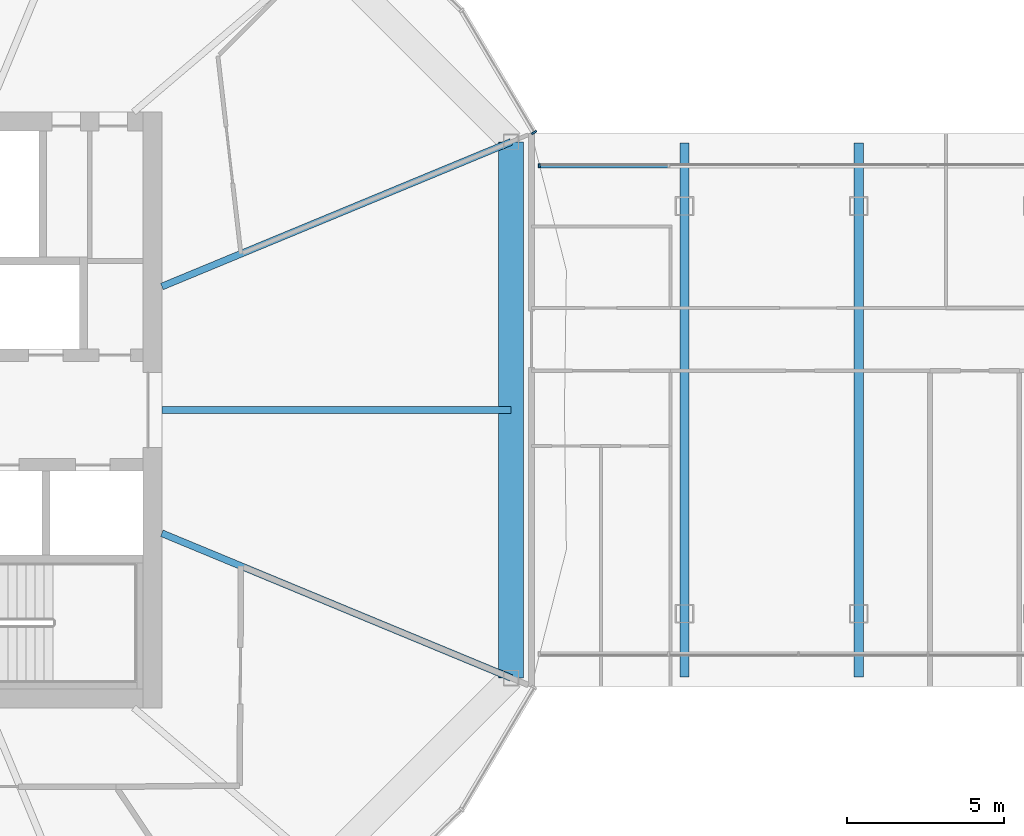
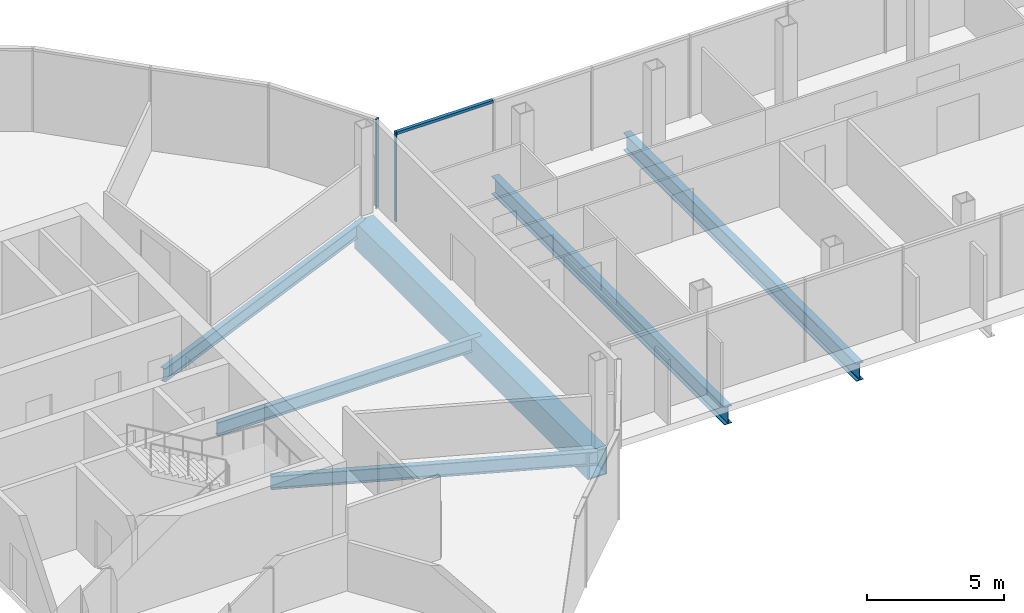
# One storey, part 7 of 26: 6 beams, 3 members, 2 elements without a shape of their own.
"""IFC4 building model written with IfcOpenShell, lengths in metres."""

import ifcopenshell
import ifcopenshell.guid

model = None  # the IFC model being written
_history = None  # IfcOwnerHistory: only IFC2X3 demands one
_inside = {}  # id of a spatial element -> (the spatial element, [elements in it])
_under = {}  # id of a project, library or spatial element -> (it, [spatial elements below it])
_declared = {}  # id of a project -> (the project, [libraries it declares])
_typed = {}  # id of a type object -> (the type object, [elements of that type])
_made_of = {}  # id of a material, layer set ... -> (it, [elements and type objects made of it])


def new_model(schema):
    """Start an empty IFC model of exactly this schema.

    Asked for "IFC4X3", IfcOpenShell would pick the latest addendum, in which some entities
    have other attributes; the version numbers below select the first issue.
    IFC2X3 requires an IfcOwnerHistory on every rooted entity: one is made here for all.
    """
    global model, _history
    if schema == "IFC4X3":
        model = ifcopenshell.file(schema_version=(4, 3, 0, 0))
    else:
        model = ifcopenshell.file(schema=schema)
    _inside.clear()
    _under.clear()
    _declared.clear()
    _typed.clear()
    _made_of.clear()
    _history = None
    if model.schema == "IFC2X3":
        org = make("IfcOrganization", Name="unknown")
        user = make(
            "IfcPersonAndOrganization",
            ThePerson=make("IfcPerson", FamilyName="unknown"),
            TheOrganization=org,
        )
        app = make(
            "IfcApplication",
            ApplicationDeveloper=org,
            Version="unknown",
            ApplicationFullName="unknown",
            ApplicationIdentifier="unknown",
        )
        _history = make(
            "IfcOwnerHistory",
            OwningUser=user,
            OwningApplication=app,
            ChangeAction="ADDED",
            CreationDate=0,
        )
    return model


def make(cls, **values):
    """One entity of the class cls with the attributes given. An attribute that is None is left unset."""
    return model.create_entity(
        cls, **{name: value for name, value in values.items() if value is not None}
    )


def rooted(cls, **values):
    """An entity with a GlobalId (a new one), such as an element, a storey or a relation."""
    return make(cls, GlobalId=ifcopenshell.guid.new(), OwnerHistory=_history, **values)


def si_unit(unit_type, name, prefix=None):
    """IfcSIUnit, for example si_unit("LENGTHUNIT", "METRE", prefix="MILLI")."""
    return make("IfcSIUnit", UnitType=unit_type, Prefix=prefix, Name=name)


def assignment(units):
    """IfcUnitAssignment: the units of a project."""
    return None if units is None else make("IfcUnitAssignment", Units=units)


def point(xyz):
    """IfcCartesianPoint."""
    return None if xyz is None else make("IfcCartesianPoint", Coordinates=xyz)


def direction(xyz):
    """IfcDirection."""
    return None if xyz is None else make("IfcDirection", DirectionRatios=xyz)


def frame(location, z_axis=None, x_axis=None):
    """IfcAxis2Placement3D, a coordinate frame: its origin and axes. An axis left out is left unset."""
    return make(
        "IfcAxis2Placement3D",
        Location=point(location),
        Axis=direction(z_axis),
        RefDirection=direction(x_axis),
    )


def frame_2d(location, x_axis=None):
    """IfcAxis2Placement2D, a coordinate frame in the plane: its origin and x axis."""
    return make(
        "IfcAxis2Placement2D", Location=point(location), RefDirection=direction(x_axis)
    )


def origin():
    """The frame at (0, 0, 0) with its axes left unset."""
    return frame((0.0, 0.0, 0.0))


def origin_2d():
    """The frame at (0, 0) in the plane with its x axis left unset."""
    return frame_2d((0.0, 0.0))


def place(relative_to, where):
    """IfcLocalPlacement: puts the frame where relative to a parent placement (None: the world)."""
    return make(
        "IfcLocalPlacement", PlacementRelTo=relative_to, RelativePlacement=where
    )


def context(
    kind, dimensions, precision=None, world=None, true_north=None, identifier=None
):
    """IfcGeometricRepresentationContext, for example the 3D "Model" context."""
    return make(
        "IfcGeometricRepresentationContext",
        ContextIdentifier=identifier,
        ContextType=kind,
        CoordinateSpaceDimension=dimensions,
        Precision=precision,
        WorldCoordinateSystem=world,
        TrueNorth=true_north,
    )


def subcontext(parent, identifier, kind, view, scale=None):
    """IfcGeometricRepresentationSubContext, for example "Body" below "Model"."""
    return make(
        "IfcGeometricRepresentationSubContext",
        ContextIdentifier=identifier,
        ContextType=kind,
        ParentContext=parent,
        TargetScale=scale,
        TargetView=view,
    )


def project(units=None, contexts=None):
    """IfcProject with its units and contexts."""
    return rooted(
        "IfcProject",
        Name="project",
        RepresentationContexts=contexts,
        UnitsInContext=assignment(units),
    )


def spatial(cls, under=None, at=None, **own):
    """A site, building, storey or space (cls), placed at a placement, below another one or the project."""
    s = rooted(cls, ObjectPlacement=at, **own)
    if under is not None:
        _under.setdefault(under.id(), (under, []))[1].append(s)
    return s


def profile(cls, at=None, kind="AREA", **sizes):
    """A parametric profile (cls). Its sizes go by their IFC names, for example OverallWidth=200.0."""
    return make(cls, ProfileType=kind, Position=at, **sizes)


def rectangle(**sizes):
    """IfcRectangleProfileDef."""
    return profile("IfcRectangleProfileDef", **sizes)


def hollow_rectangle(**sizes):
    """IfcRectangleHollowProfileDef."""
    return profile("IfcRectangleHollowProfileDef", **sizes)


def i_section(**sizes):
    """IfcIShapeProfileDef."""
    return profile("IfcIShapeProfileDef", **sizes)


def extrude(swept, where, along, depth):
    """IfcExtrudedAreaSolid: the profile swept, set in the frame where, extruded along a direction by depth."""
    return make(
        "IfcExtrudedAreaSolid",
        SweptArea=swept,
        Position=where,
        ExtrudedDirection=direction(along),
        Depth=depth,
    )


def shape(context_of_items, identifier, shape_type, items):
    """IfcShapeRepresentation: the items that make up one representation, for example the "Body"."""
    return make(
        "IfcShapeRepresentation",
        ContextOfItems=context_of_items,
        RepresentationIdentifier=identifier,
        RepresentationType=shape_type,
        Items=items,
    )


def material(Name=None, Category=None):
    """IfcMaterial."""
    return make("IfcMaterial", Name=Name, Category=Category)


def material_profile(
    of_material, cross_section, Name=None, Category=None, Priority=None
):
    """IfcMaterialProfile: a cross section and its material."""
    return make(
        "IfcMaterialProfile",
        Name=Name,
        Material=of_material,
        Profile=cross_section,
        Priority=Priority,
        Category=Category,
    )


def profile_set(profiles, Name=None, composite=None):
    """IfcMaterialProfileSet."""
    return make(
        "IfcMaterialProfileSet",
        Name=Name,
        MaterialProfiles=profiles,
        CompositeProfile=composite,
    )


def made_of(thing, what):
    """Note that an element or type object is made of a material, layer set ...; save() writes the relation."""
    if what is not None:
        _made_of.setdefault(what.id(), (what, []))[1].append(thing)
    return thing


def type_object(cls, material=None, **own):
    """A type object (cls), such as IfcWallType, which elements share."""
    return made_of(rooted(cls, **own), material)


def element(
    cls,
    number,
    at=None,
    inside=None,
    cuts=None,
    type_object=None,
    material=None,
    context=None,
    identifier="Body",
    shape_type=None,
    held_by="IfcProductDefinitionShape",
    body=None,
    shapes=None,
    **own,
):
    """One element of the class cls, such as IfcWall. Its Tag is "e" and its number.

    at: its placement. inside: the storey or other place that contains it. cuts: it is an
    opening in that element (IfcRelVoidsElement). A single representation is given by context,
    identifier, shape_type and body (its items); several are given by shapes. held_by: the class
    of the entity that holds the representations. save() writes the other relations.
    """
    e = rooted(cls, Tag="e%d" % number, ObjectPlacement=at, **own)
    if body is not None:
        shapes = [shape(context, identifier, shape_type, body)]
    if shapes is not None:
        e.Representation = make(held_by, Representations=shapes)
    if inside is not None:
        _inside.setdefault(inside.id(), (inside, []))[1].append(e)
    if cuts is not None:
        rooted(
            "IfcRelVoidsElement", RelatingBuildingElement=cuts, RelatedOpeningElement=e
        )
    if type_object is not None:
        _typed.setdefault(type_object.id(), (type_object, []))[1].append(e)
    return made_of(e, material)


def aggregate(whole, parts):
    """IfcRelAggregates: a whole, such as a stair, and the parts it consists of."""
    return rooted("IfcRelAggregates", RelatingObject=whole, RelatedObjects=parts)


def save(model, path):
    """Write the relations noted so far, then the file.

    IfcRelAggregates (storeys below a building ...), IfcRelContainedInSpatialStructure (elements
    in a storey), IfcRelDefinesByType, IfcRelAssociatesMaterial and IfcRelDeclares: one each for
    every whole, place, type object, material and project.
    """
    for whole, parts in _under.values():
        aggregate(whole, parts)
    for where, things in _inside.values():
        rooted(
            "IfcRelContainedInSpatialStructure",
            RelatedElements=things,
            RelatingStructure=where,
        )
    for kind, things in _typed.values():
        rooted("IfcRelDefinesByType", RelatedObjects=things, RelatingType=kind)
    for what, things in _made_of.values():
        rooted("IfcRelAssociatesMaterial", RelatedObjects=things, RelatingMaterial=what)
    for by, libraries in _declared.values():
        rooted("IfcRelDeclares", RelatingContext=by, RelatedDefinitions=libraries)
    model.write(path)


model = new_model("IFC4")

# Units and contexts
model_context = context("Model", 3, precision=1e-05, world=origin(), true_north=direction((0.0, 1.0)))
body_context = subcontext(model_context, "Body", "Model", "MODEL_VIEW")
ifc_project = project(units=[si_unit("LENGTHUNIT", "METRE"), si_unit("AREAUNIT", "SQUARE_METRE"), si_unit("VOLUMEUNIT", "CUBIC_METRE"), si_unit("PLANEANGLEUNIT", "RADIAN"), si_unit("MASSUNIT", "GRAM", prefix="KILO")], contexts=[model_context])

# Site, building, storey
site_placement = place(None, origin())
site = spatial("IfcSite", under=ifc_project, at=site_placement, CompositionType="ELEMENT")
building_placement = place(site_placement, origin())
building = spatial("IfcBuilding", under=site, at=building_placement, Name="Ogive Gate Towers", CompositionType="ELEMENT")
storey_placement = place(building_placement, frame((0.0, 0.0, 156.800048828125)))
storey = spatial("IfcBuildingStorey", under=building, at=storey_placement, Name="L37", CompositionType="ELEMENT", Elevation=156.800048828125)

# Beams
ifc_material_1 = material(Name="Steel SM460", Category="steel")
ifc_material_profile_1 = material_profile(ifc_material_1, i_section(OverallWidth=0.300048828125, OverallDepth=0.7900390625, WebThickness=0.014892578125, FlangeThickness=0.028076171875, FilletRadius=0.030029296875, at=origin_2d()), Name="HE 800 A")
ifc_profile_set_1 = profile_set([ifc_material_profile_1], Name="Steel SM460")
beam_type_1 = type_object("IfcBeamType", Name="Block floor beam HE 800 A", PredefinedType="BEAM", material=ifc_profile_set_1)
for number, where, z_axis, x_axis, name in (
    (1, (-9.83056640625, -8.51708984375, -0.695068359375), (0.0, 1.0, 0.0), (-1.0, 0.0, 0.0), "BR/L37/SBM001"),
    (2, (-4.27392578125, -8.51708984375, -0.695068359375), (0.0, 1.0, 0.0), (-1.0, 0.0, 0.0), "BR/L37/SBM002"),
):
    element("IfcBeam", number, at=place(storey_placement, frame(where, z_axis=z_axis, x_axis=x_axis)), inside=storey, type_object=beam_type_1, Name=name, PredefinedType="BEAM", context=body_context, shape_type="SweptSolid", body=[
        extrude(i_section(OverallWidth=0.300048828125, OverallDepth=0.7900390625, WebThickness=0.014892578125, FlangeThickness=0.028076171875, FilletRadius=0.030029296875, at=origin_2d()), origin(), (0.0, 0.0, 1.0), 17.0341796875),
    ])
ifc_material_profile_2 = material_profile(ifc_material_1, hollow_rectangle(XDim=0.800048828125, YDim=1.199951171875, WallThickness=0.050048828125, at=origin_2d()), Name="BX 1200x800x50")
ifc_profile_set_2 = profile_set([ifc_material_profile_2], Name="Steel SM460")
beam_type_2 = type_object("IfcBeamType", Name="Edge girder BX 1200x800x50", PredefinedType="BEAM", material=ifc_profile_set_2)
beam_1_placement = place(storey_placement, frame((-15.360595703125, -8.549072265625, -0.900146484375), z_axis=(0.0, 1.0, 0.0), x_axis=(-1.0, 0.0, 0.0)))
element("IfcBeam", 3, at=beam_1_placement, inside=storey, type_object=beam_type_2, Name="T1/L37/SBM020", PredefinedType="BEAM", context=body_context, shape_type="SweptSolid", body=[
    extrude(hollow_rectangle(XDim=0.800048828125, YDim=1.199951171875, WallThickness=0.050048828125, at=origin_2d()), origin(), (0.0, 0.0, 1.0), 17.09814453125),
])

# Curtain wall, members
ifc_material_2 = material(Name="Pale metal aluminium", Category="aluminium")
curtain_wall_type_1 = type_object("IfcCurtainWallType", Name="Gate block facade", PredefinedType="NOTDEFINED", material=ifc_material_2)
curtain_wall_1_placement = place(storey_placement, origin())
curtain_wall_1 = element("IfcCurtainWall", 4, at=curtain_wall_1_placement, inside=storey, type_object=curtain_wall_type_1, Name="CW3 BR ECW02", PredefinedType="NOTDEFINED")
ifc_material_profile_3 = material_profile(ifc_material_2, rectangle(XDim=0.139892578125, YDim=0.06005859375, at=origin_2d()), Name="60 x 140 aluminium box")
ifc_profile_set_3 = profile_set([ifc_material_profile_3], Name="Pale metal aluminium")
member_type_1 = type_object("IfcMemberType", Name="Gate block facade mullion 60 x 140", PredefinedType="MULLION", material=ifc_profile_set_3)
member_1_placement = place(storey_placement, frame((-14.458251953125, 7.787109375, -0.300048828125), z_axis=(0.0, 0.0, 1.0), x_axis=(0.0, 1.0, 0.0)))
member_1 = element("IfcMember", 5, at=member_1_placement, type_object=member_type_1, Name="CW3 mullion", PredefinedType="MULLION", context=body_context, shape_type="SweptSolid", body=[
    extrude(rectangle(XDim=0.139892578125, YDim=0.06005859375, at=origin_2d()), origin(), (0.0, 0.0, 1.0), 4.0),
])
ifc_material_profile_4 = material_profile(ifc_material_2, rectangle(XDim=0.139892578125, YDim=0.1201171875, at=origin_2d()), Name="120 x 140 aluminium box")
ifc_profile_set_4 = profile_set([ifc_material_profile_4], Name="Pale metal aluminium")
member_type_2 = type_object("IfcMemberType", Name="Gate block facade transom 120 x 140", PredefinedType="USERDEFINED", material=ifc_profile_set_4)
member_2_placement = place(storey_placement, frame((-10.357421875, 7.787109375, 3.639892578125), z_axis=(-1.0, 0.0, 0.0), x_axis=(0.0, -1.0, 0.0)))
member_2 = element("IfcMember", 6, at=member_2_placement, type_object=member_type_2, Name="CW3 transom", ObjectType="TRANSOM", PredefinedType="USERDEFINED", context=body_context, shape_type="SweptSolid", body=[
    extrude(rectangle(XDim=0.139892578125, YDim=0.1201171875, at=origin_2d()), origin(), (0.0, 0.0, 1.0), 4.07080078125),
])
aggregate(curtain_wall_1, [member_1, member_2])

# Beams
ifc_material_3 = material(Name="Steel SM355", Category="steel")
ifc_material_profile_5 = material_profile(ifc_material_3, i_section(OverallWidth=0.219970703125, OverallDepth=0.60009765625, WebThickness=0.011962890625, FlangeThickness=0.01904296875, FilletRadius=0.02392578125, at=origin_2d()), Name="IPE 600")
ifc_profile_set_5 = profile_set([ifc_material_profile_5], Name="Steel SM355")
beam_type_3 = type_object("IfcBeamType", Name="Radial floor beam IPE 600", PredefinedType="BEAM", material=ifc_profile_set_5)
beam_2_placement = place(storey_placement, frame((-26.5, -3.93505859375, -0.60009765625), z_axis=(0.923881839184, -0.382677863518, 0.0), x_axis=(0.382677863518, 0.923881839184, 0.0)))
element("IfcBeam", 7, at=beam_2_placement, inside=storey, type_object=beam_type_3, Name="T1/L37/SBM007", PredefinedType="BEAM", context=body_context, shape_type="SweptSolid", body=[
    extrude(i_section(OverallWidth=0.219970703125, OverallDepth=0.60009765625, WebThickness=0.011962890625, FlangeThickness=0.01904296875, FilletRadius=0.02392578125, at=origin_2d()), origin(), (0.0, 0.0, 1.0), 12.05712890625),
])
beam_3_placement = place(storey_placement, frame((-26.5, 0.0, -0.60009765625), z_axis=(1.0, 0.0, 0.0), x_axis=(0.0, 1.0, 0.0)))
element("IfcBeam", 8, at=beam_3_placement, inside=storey, type_object=beam_type_3, Name="T1/L37/SBM008", PredefinedType="BEAM", context=body_context, shape_type="SweptSolid", body=[
    extrude(i_section(OverallWidth=0.219970703125, OverallDepth=0.60009765625, WebThickness=0.011962890625, FlangeThickness=0.01904296875, FilletRadius=0.02392578125, at=origin_2d()), origin(), (0.0, 0.0, 1.0), 11.139404296875),
])
beam_4_placement = place(storey_placement, frame((-26.5, 3.93505859375, -0.60009765625), z_axis=(0.923881839184, 0.382677863518, 0.0), x_axis=(-0.382677863518, 0.923881839184, 0.0)))
element("IfcBeam", 9, at=beam_4_placement, inside=storey, type_object=beam_type_3, Name="T1/L37/SBM009", PredefinedType="BEAM", context=body_context, shape_type="SweptSolid", body=[
    extrude(i_section(OverallWidth=0.219970703125, OverallDepth=0.60009765625, WebThickness=0.011962890625, FlangeThickness=0.01904296875, FilletRadius=0.02392578125, at=origin_2d()), origin(), (0.0, 0.0, 1.0), 12.05712890625),
])

# Curtain wall, member
curtain_wall_type_2 = type_object("IfcCurtainWallType", Name="Tower unitised wall, high zone", PredefinedType="NOTDEFINED", material=ifc_material_2)
curtain_wall_2_placement = place(storey_placement, origin())
curtain_wall_2 = element("IfcCurtainWall", 10, at=curtain_wall_2_placement, inside=storey, type_object=curtain_wall_type_2, Name="CW2 T1 ECW01", PredefinedType="NOTDEFINED")
ifc_material_profile_6 = material_profile(ifc_material_2, rectangle(XDim=0.179931640625, YDim=0.06005859375, at=origin_2d()), Name="60 x 180 aluminium box")
ifc_profile_set_6 = profile_set([ifc_material_profile_6], Name="Pale metal aluminium")
member_type_3 = type_object("IfcMemberType", Name="Tower unitised wall, high zone mullion 60 x 180", PredefinedType="MULLION", material=ifc_profile_set_6)
member_3_placement = place(storey_placement, frame((-14.629150390625, 8.8505859375, -0.300048828125), z_axis=(0.0, 0.0, 1.0), x_axis=(0.860208488223, 0.509942503415, 0.0)))
member_3 = element("IfcMember", 11, at=member_3_placement, type_object=member_type_3, Name="CW2 mullion", PredefinedType="MULLION", context=body_context, shape_type="SweptSolid", body=[
    extrude(rectangle(XDim=0.179931640625, YDim=0.06005859375, at=origin_2d()), origin(), (0.0, 0.0, 1.0), 4.0),
])
aggregate(curtain_wall_2, [member_3])

save(model, "model.ifc")
